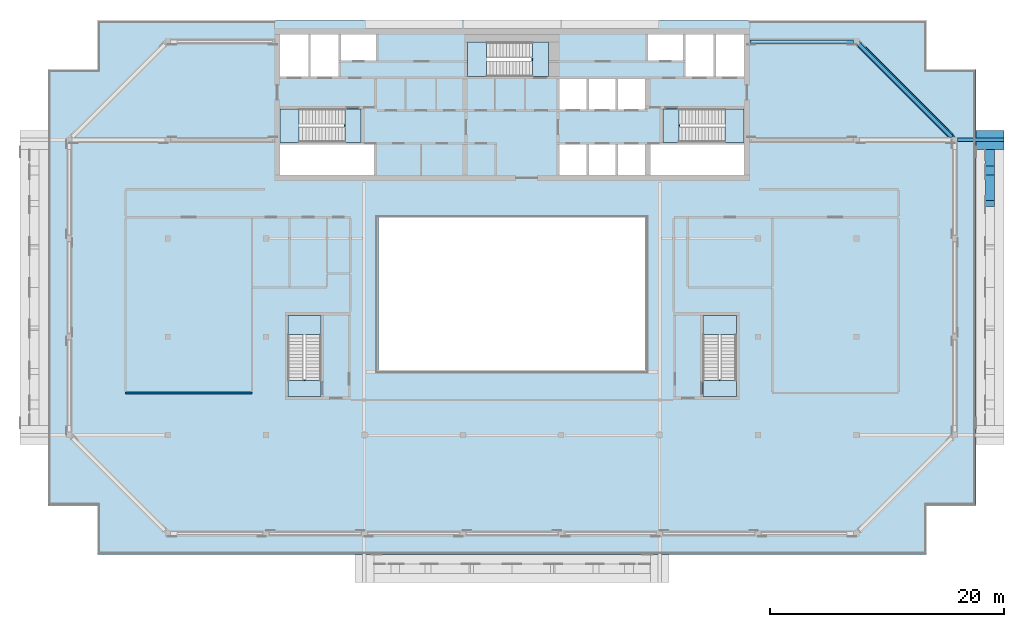
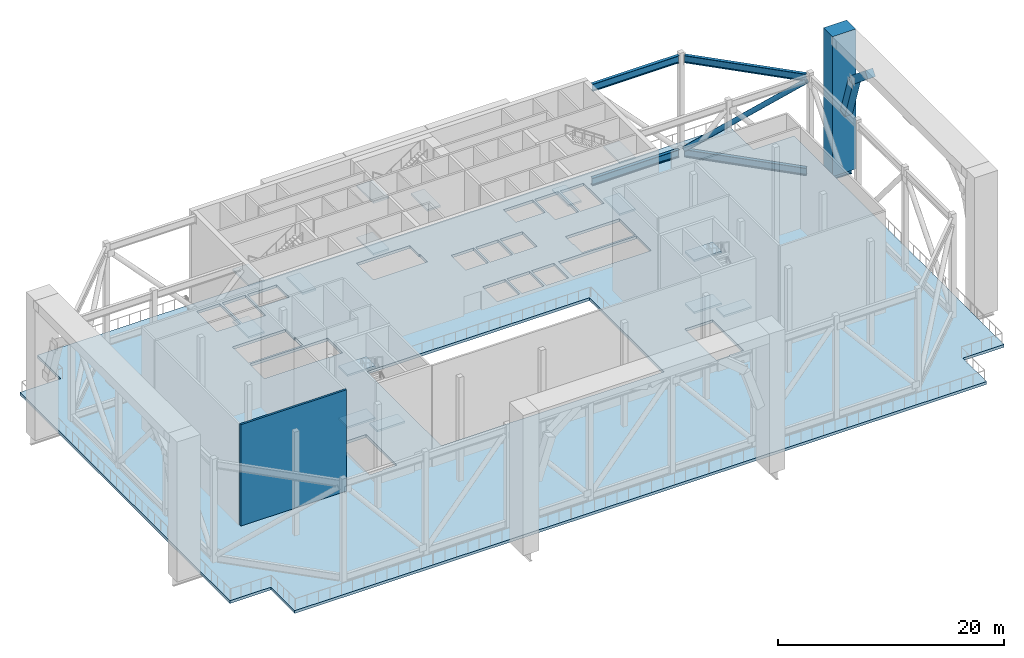
# One storey, part 3 of 20: 16 slabs, 8 members, 1 beam, 1 wall, 5 elements without a shape of their own.
"""IFC4 building model written with IfcOpenShell, lengths in metres."""

from ifc_helpers import new_model, si_unit, direction, frame, frame_2d, origin, origin_2d, place, context, subcontext, project, spatial, polyline, rectangle, hollow_circle, i_section, outline, extrude, material, layer, layer_set, material_profile, profile_set, type_object, element, aggregate, save


model = new_model("IFC4")

# Units and contexts
model_context = context("Model", 3, precision=1e-05, world=origin(), true_north=direction((0.0, 1.0)))
body_context = subcontext(model_context, "Body", "Model", "MODEL_VIEW")
ifc_project = project(units=[si_unit("LENGTHUNIT", "METRE"), si_unit("AREAUNIT", "SQUARE_METRE"), si_unit("VOLUMEUNIT", "CUBIC_METRE"), si_unit("PLANEANGLEUNIT", "RADIAN"), si_unit("MASSUNIT", "GRAM", prefix="KILO")], contexts=[model_context])

# Site, building, storey
site_placement = place(None, origin())
site = spatial("IfcSite", under=ifc_project, at=site_placement, CompositionType="ELEMENT")
building_placement = place(site_placement, origin())
building = spatial("IfcBuilding", under=site, at=building_placement, Name="Saffron Gate Tower", CompositionType="ELEMENT")
storey_placement = place(building_placement, frame((0.0, 0.0, 252.300048828125)))
storey = spatial("IfcBuildingStorey", under=building, at=storey_placement, Name="L62", CompositionType="ELEMENT", Elevation=252.300048828125)

# Members
ifc_material_1 = material(Name="Structural steel S355", Category="steel")
ifc_material_profile_1 = material_profile(ifc_material_1, i_section(OverallWidth=0.300048828125, OverallDepth=0.800048828125, WebThickness=0.017578125, FlangeThickness=0.032958984375, FilletRadius=0.030029296875, at=origin_2d()))
ifc_profile_set_1 = profile_set([ifc_material_profile_1], Name="Structural steel S355")
member_type_1 = type_object("IfcMemberType", Name="BT2 HEB 800", PredefinedType="CHORD", material=ifc_profile_set_1)
for number, where, z_axis, x_axis, name in (
    (1, (117.25, 73.550048828125, 10.570068359375), (0.707095854966, -0.707117707239, 0.0), (0.707117707239, 0.707095854966, 0.0), "BT2 BELT TRUSS TOP CHORD"),
    (2, (117.25, 73.550048828125, 0.39990234375), (0.707095854966, -0.707117707239, 0.0), (0.707117707239, 0.707095854966, 0.0), "BT2 BELT TRUSS BOTTOM CHORD"),
):
    element("IfcMember", number, at=place(storey_placement, frame(where, z_axis=z_axis, x_axis=x_axis)), inside=storey, type_object=member_type_1, Name=name, PredefinedType="CHORD", context=body_context, shape_type="SweptSolid", body=[
        extrude(i_section(OverallWidth=0.300048828125, OverallDepth=0.800048828125, WebThickness=0.017578125, FlangeThickness=0.032958984375, FilletRadius=0.030029296875, at=origin_2d()), origin(), (0.0, 0.0, 1.0), 11.17236328125),
    ])
ifc_material_profile_2 = material_profile(ifc_material_1, hollow_circle(Radius=0.25390625, WallThickness=0.01611328125, at=origin_2d()))
ifc_profile_set_2 = profile_set([ifc_material_profile_2], Name="Structural steel S355")
member_type_2 = type_object("IfcMemberType", Name="BT5 CHS 508x16", PredefinedType="BRACE", material=ifc_profile_set_2)
member_1_placement = place(storey_placement, frame((117.25, 73.550048828125, 0.800048828125), z_axis=(0.54178187723, -0.541798620598, 0.642593691397), x_axis=(0.707117707239, 0.707095854966, 0.0)))
element("IfcMember", 3, at=member_1_placement, inside=storey, type_object=member_type_2, Name="BT5 BELT TRUSS DIAGONAL", PredefinedType="BRACE", context=body_context, shape_type="SweptSolid", body=[
    extrude(hollow_circle(Radius=0.25390625, WallThickness=0.01611328125, at=origin_2d()), origin(), (0.0, 0.0, 1.0), 14.581298828125),
])
ifc_material_profile_3 = material_profile(ifc_material_1, i_section(OverallWidth=0.300048828125, OverallDepth=0.800048828125, WebThickness=0.017578125, FlangeThickness=0.032958984375, FilletRadius=0.030029296875, at=origin_2d()))
ifc_profile_set_3 = profile_set([ifc_material_profile_3], Name="Structural steel S355")
member_type_3 = type_object("IfcMemberType", Name="OT1 HEB 800", PredefinedType="CHORD", material=ifc_profile_set_3)
for number, where, z_axis, x_axis, name in (
    (4, (116.75, 73.800048828125, 10.570068359375), (-1.0, 0.0, 0.0), (0.0, -1.0, 0.0), "OT1 OUTRIGGER TOP CHORD"),
    (5, (116.75, 73.800048828125, 0.39990234375), (-1.0, 0.0, 0.0), (0.0, -1.0, 0.0), "OT1 OUTRIGGER BOTTOM CHORD"),
):
    element("IfcMember", number, at=place(storey_placement, frame(where, z_axis=z_axis, x_axis=x_axis)), inside=storey, type_object=member_type_3, Name=name, PredefinedType="CHORD", context=body_context, shape_type="SweptSolid", body=[
        extrude(i_section(OverallWidth=0.300048828125, OverallDepth=0.800048828125, WebThickness=0.017578125, FlangeThickness=0.032958984375, FilletRadius=0.030029296875, at=origin_2d()), origin(), (0.0, 0.0, 1.0), 8.85009765625),
    ])
ifc_material_2 = material(Name="Concrete C60", Category="concrete")
ifc_material_profile_4 = material_profile(ifc_material_2, rectangle(XDim=0.800048828125, YDim=0.800048828125, at=origin_2d()))
ifc_profile_set_4 = profile_set([ifc_material_profile_4], Name="Concrete C60")
member_type_4 = type_object("IfcMemberType", Name="PA1 RC 800x800", PredefinedType="BRACE", material=ifc_profile_set_4)
member_2_placement = place(storey_placement, frame((128.39990234375, 59.98583984375, 13.241943359375), z_axis=(0.0, 0.771301255722, -0.636470245119), x_axis=(-1.0, 0.0, 0.0)))
element("IfcMember", 6, at=member_2_placement, inside=storey, type_object=member_type_4, Name="PA1 PISHTAQ ARCH", PredefinedType="BRACE", context=body_context, shape_type="SweptSolid", body=[
    extrude(rectangle(XDim=0.800048828125, YDim=0.800048828125, at=origin_2d()), origin(), (0.0, 0.0, 1.0), 3.453125),
])
member_3_placement = place(storey_placement, frame((128.39990234375, 62.774658203125, 10.8603515625), z_axis=(0.0, 0.311817884168, -0.950141887885), x_axis=(-1.0, 0.0, 0.0)))
element("IfcMember", 7, at=member_3_placement, inside=storey, type_object=member_type_4, Name="PA1 PISHTAQ ARCH", PredefinedType="BRACE", context=body_context, shape_type="SweptSolid", body=[
    extrude(rectangle(XDim=0.800048828125, YDim=0.800048828125, at=origin_2d()), origin(), (0.0, 0.0, 1.0), 4.57080078125),
])
ifc_material_profile_5 = material_profile(ifc_material_2, rectangle(XDim=2.39990234375, YDim=1.60009765625, at=origin_2d()))
ifc_profile_set_5 = profile_set([ifc_material_profile_5], Name="Concrete C60")
member_type_5 = type_object("IfcMemberType", Name="PP1 RC 2400x1600", PredefinedType="POST", material=ifc_profile_set_5)
member_4_placement = place(storey_placement, frame((128.39990234375, 65.39990234375, -0.300048828125), z_axis=(0.0, 0.0, 1.0), x_axis=(1.0, 0.0, 0.0)))
element("IfcMember", 8, at=member_4_placement, inside=storey, type_object=member_type_5, Name="PP1 PISHTAQ PIER", PredefinedType="POST", context=body_context, shape_type="SweptSolid", body=[
    extrude(rectangle(XDim=2.39990234375, YDim=1.60009765625, at=origin_2d()), origin(), (0.0, 0.0, 1.0), 15.14990234375),
])

# Beam
ifc_material_profile_6 = material_profile(ifc_material_1, i_section(OverallWidth=0.300048828125, OverallDepth=0.889892578125, WebThickness=0.01611328125, FlangeThickness=0.030029296875, FilletRadius=0.030029296875, at=origin_2d()))
ifc_profile_set_6 = profile_set([ifc_material_profile_6], Name="Structural steel S355")
beam_type = type_object("IfcBeamType", Name="PQ1 HEA 900", PredefinedType="BEAM", material=ifc_profile_set_6)
beam_placement = place(storey_placement, frame((129.60009765625, 65.39990234375, -0.7451171875), z_axis=(-1.0, 0.0, 0.0), x_axis=(0.0, -1.0, 0.0)))
element("IfcBeam", 9, at=beam_placement, inside=storey, type_object=beam_type, Name="PQ1 PISHTAQ PIER BEAM", PredefinedType="BEAM", context=body_context, shape_type="SweptSolid", body=[
    extrude(i_section(OverallWidth=0.300048828125, OverallDepth=0.889892578125, WebThickness=0.01611328125, FlangeThickness=0.030029296875, FilletRadius=0.030029296875, at=origin_2d()), origin(), (0.0, 0.0, 1.0), 3.9501953125),
])

# Slab
ifc_material_3 = material(Name="Concrete C40", Category="concrete")
ifc_layer_1 = layer(ifc_material_3, 0.300048828125)
ifc_layer_set_1 = layer_set([ifc_layer_1], Name="S3 FLOOR SLAB 300 CONCRETE C40")
slab_type_1 = type_object("IfcSlabType", Name="S3 FLOOR SLAB 300 CONCRETE C40", PredefinedType="FLOOR", material=ifc_layer_set_1)
slab_1_placement = place(storey_placement, frame((0.0, 0.0, -0.300048828125)))
element("IfcSlab", 10, at=slab_1_placement, inside=storey, type_object=slab_type_1, Name="S3 FLOOR SLAB", PredefinedType="FLOOR", context=body_context, shape_type="SweptSolid", body=[
    extrude(outline(polyline([(48.0, 34.199951171875), (52.199951171875, 34.199951171875), (52.199951171875, 30.0), (123.0, 30.0), (123.0, 34.199951171875), (127.199951171875, 34.199951171875), (127.199951171875, 71.39990234375), (123.0, 71.39990234375), (123.0, 75.60009765625), (52.199951171875, 75.60009765625), (52.199951171875, 71.39990234375), (48.0, 71.39990234375), (48.0, 34.199951171875)]), holes=[polyline([(67.800048828125, 62.39990234375), (67.800048828125, 65.0), (75.800048828125, 65.0), (75.800048828125, 62.39990234375), (67.800048828125, 62.39990234375)]), polyline([(67.800048828125, 65.199951171875), (67.800048828125, 68.050048828125), (73.25, 68.050048828125), (73.25, 66.550048828125), (73.34912109375, 66.550048828125), (73.34912109375, 65.199951171875), (67.800048828125, 65.199951171875)]), polyline([(67.800048828125, 70.800048828125), (67.800048828125, 74.39990234375), (70.199951171875, 74.39990234375), (70.199951171875, 70.800048828125), (67.800048828125, 70.800048828125)]), polyline([(68.449951171875, 44.85107421875), (68.449951171875, 50.39990234375), (71.300048828125, 50.39990234375), (71.300048828125, 44.949951171875), (69.800048828125, 44.949951171875), (69.800048828125, 44.85107421875), (68.449951171875, 44.85107421875)]), polyline([(70.39990234375, 70.800048828125), (70.39990234375, 74.39990234375), (72.800048828125, 74.39990234375), (72.800048828125, 70.800048828125), (70.39990234375, 70.800048828125)]), polyline([(73.0, 72.199951171875), (73.0, 74.39990234375), (76.0, 74.39990234375), (76.0, 72.199951171875), (73.0, 72.199951171875)]), polyline([(76.199951171875, 45.60009765625), (76.199951171875, 58.800048828125), (99.0, 58.800048828125), (99.0, 45.60009765625), (76.199951171875, 45.60009765625)]), polyline([(83.800048828125, 70.800048828125), (83.800048828125, 73.75), (89.25, 73.75), (89.25, 72.14990234375), (89.34912109375, 72.14990234375), (89.34912109375, 70.800048828125), (83.800048828125, 70.800048828125)]), polyline([(91.64990234375, 62.39990234375), (91.64990234375, 65.0), (93.949951171875, 65.0), (93.949951171875, 62.39990234375), (91.64990234375, 62.39990234375)]), polyline([(91.64990234375, 68.0), (91.64990234375, 70.60009765625), (93.949951171875, 70.60009765625), (93.949951171875, 68.0), (91.64990234375, 68.0)]), polyline([(94.14990234375, 62.39990234375), (94.14990234375, 65.0), (96.449951171875, 65.0), (96.449951171875, 62.39990234375), (94.14990234375, 62.39990234375)]), polyline([(94.14990234375, 68.0), (94.14990234375, 70.60009765625), (96.449951171875, 70.60009765625), (96.449951171875, 68.0), (94.14990234375, 68.0)]), polyline([(96.64990234375, 62.39990234375), (96.64990234375, 65.0), (98.949951171875, 65.0), (98.949951171875, 62.39990234375), (96.64990234375, 62.39990234375)]), polyline([(96.64990234375, 68.0), (96.64990234375, 70.60009765625), (98.949951171875, 70.60009765625), (98.949951171875, 68.0), (96.64990234375, 68.0)]), polyline([(99.199951171875, 72.199951171875), (99.199951171875, 74.39990234375), (102.199951171875, 74.39990234375), (102.199951171875, 72.199951171875), (99.199951171875, 72.199951171875)]), polyline([(99.39990234375, 62.39990234375), (99.39990234375, 65.0), (107.39990234375, 65.0), (107.39990234375, 62.39990234375), (99.39990234375, 62.39990234375)]), polyline([(101.85107421875, 66.699951171875), (101.85107421875, 68.050048828125), (107.39990234375, 68.050048828125), (107.39990234375, 65.199951171875), (101.949951171875, 65.199951171875), (101.949951171875, 66.699951171875), (101.85107421875, 66.699951171875)]), polyline([(102.39990234375, 70.800048828125), (102.39990234375, 74.39990234375), (104.800048828125, 74.39990234375), (104.800048828125, 70.800048828125), (102.39990234375, 70.800048828125)]), polyline([(103.89990234375, 44.85107421875), (103.89990234375, 50.39990234375), (106.75, 50.39990234375), (106.75, 44.949951171875), (105.25, 44.949951171875), (105.25, 44.85107421875), (103.89990234375, 44.85107421875)]), polyline([(105.0, 70.800048828125), (105.0, 74.39990234375), (107.39990234375, 74.39990234375), (107.39990234375, 70.800048828125), (105.0, 70.800048828125)])]), origin(), (0.0, 0.0, 1.0), 0.300048828125),
])

# Stair, slabs
stair_type = type_object("IfcStairType", Name="ST8 Stair 1350 wide, 60 risers of 188", PredefinedType="HALF_TURN_STAIR", material=ifc_material_3)
stair_1_placement = place(storey_placement, origin())
stair_1 = element("IfcStair", 11, at=stair_1_placement, inside=storey, type_object=stair_type, Name="L62 Exit stair A", PredefinedType="HALF_TURN_STAIR")
ifc_layer_2 = layer(ifc_material_3, 0.199951171875)
ifc_layer_set_2 = layer_set([ifc_layer_2], Name="SL1 Stair landing 200")
slab_type_2 = type_object("IfcSlabType", Name="SL1 Stair landing 200", PredefinedType="LANDING", material=ifc_layer_set_2)
slab_2_placement = place(storey_placement, frame((0.0, 0.0, 2.612548828125)))
slab_2 = element("IfcSlab", 12, at=slab_2_placement, type_object=slab_type_2, Name="ST-A landing 1", PredefinedType="LANDING", context=body_context, shape_type="SweptSolid", body=[
    extrude(outline(polyline([(69.429931640625, 68.050048828125), (67.800048828125, 68.050048828125), (67.800048828125, 65.199951171875), (69.429931640625, 65.199951171875), (69.429931640625, 68.050048828125)])), origin(), (0.0, 0.0, 1.0), 0.199951171875),
])
slab_3_placement = place(storey_placement, frame((0.0, 0.0, 5.425048828125)))
slab_3 = element("IfcSlab", 13, at=slab_3_placement, type_object=slab_type_2, Name="ST-A landing 2", PredefinedType="LANDING", context=body_context, shape_type="SweptSolid", body=[
    extrude(outline(polyline([(74.699951171875, 68.050048828125), (73.35009765625, 68.050048828125), (73.35009765625, 65.199951171875), (74.699951171875, 65.199951171875), (74.699951171875, 68.050048828125)])), origin(), (0.0, 0.0, 1.0), 0.199951171875),
])
slab_4_placement = place(storey_placement, frame((0.0, 0.0, 8.237548828125)))
slab_4 = element("IfcSlab", 14, at=slab_4_placement, type_object=slab_type_2, Name="ST-A landing 3", PredefinedType="LANDING", context=body_context, shape_type="SweptSolid", body=[
    extrude(outline(polyline([(69.429931640625, 68.050048828125), (67.800048828125, 68.050048828125), (67.800048828125, 65.199951171875), (69.429931640625, 65.199951171875), (69.429931640625, 68.050048828125)])), origin(), (0.0, 0.0, 1.0), 0.199951171875),
])
aggregate(stair_1, [slab_2, slab_3, slab_4])

stair_2_placement = place(storey_placement, origin())
stair_2 = element("IfcStair", 15, at=stair_2_placement, inside=storey, type_object=stair_type, Name="L62 Exit stair B", PredefinedType="HALF_TURN_STAIR")
slab_5_placement = place(storey_placement, frame((0.0, 0.0, 2.612548828125)))
slab_5 = element("IfcSlab", 16, at=slab_5_placement, type_object=slab_type_2, Name="ST-B landing 1", PredefinedType="LANDING", context=body_context, shape_type="SweptSolid", body=[
    extrude(outline(polyline([(105.77001953125, 65.199951171875), (107.39990234375, 65.199951171875), (107.39990234375, 68.050048828125), (105.77001953125, 68.050048828125), (105.77001953125, 65.199951171875)])), origin(), (0.0, 0.0, 1.0), 0.199951171875),
])
slab_6_placement = place(storey_placement, frame((0.0, 0.0, 5.425048828125)))
slab_6 = element("IfcSlab", 17, at=slab_6_placement, type_object=slab_type_2, Name="ST-B landing 2", PredefinedType="LANDING", context=body_context, shape_type="SweptSolid", body=[
    extrude(outline(polyline([(100.5, 65.199951171875), (101.85009765625, 65.199951171875), (101.85009765625, 68.050048828125), (100.5, 68.050048828125), (100.5, 65.199951171875)])), origin(), (0.0, 0.0, 1.0), 0.199951171875),
])
slab_7_placement = place(storey_placement, frame((0.0, 0.0, 8.237548828125)))
slab_7 = element("IfcSlab", 18, at=slab_7_placement, type_object=slab_type_2, Name="ST-B landing 3", PredefinedType="LANDING", context=body_context, shape_type="SweptSolid", body=[
    extrude(outline(polyline([(105.77001953125, 65.199951171875), (107.39990234375, 65.199951171875), (107.39990234375, 68.050048828125), (105.77001953125, 68.050048828125), (105.77001953125, 65.199951171875)])), origin(), (0.0, 0.0, 1.0), 0.199951171875),
])
aggregate(stair_2, [slab_5, slab_6, slab_7])

stair_3_placement = place(storey_placement, origin())
stair_3 = element("IfcStair", 19, at=stair_3_placement, inside=storey, type_object=stair_type, Name="L62 Exit stair C", PredefinedType="HALF_TURN_STAIR")
slab_8_placement = place(storey_placement, frame((0.0, 0.0, 2.612548828125)))
slab_8 = element("IfcSlab", 20, at=slab_8_placement, type_object=slab_type_2, Name="ST-C landing 1", PredefinedType="LANDING", context=body_context, shape_type="SweptSolid", body=[
    extrude(outline(polyline([(85.429931640625, 73.75), (83.800048828125, 73.75), (83.800048828125, 70.800048828125), (85.429931640625, 70.800048828125), (85.429931640625, 73.75)])), origin(), (0.0, 0.0, 1.0), 0.199951171875),
])
slab_9_placement = place(storey_placement, frame((0.0, 0.0, 5.425048828125)))
slab_9 = element("IfcSlab", 21, at=slab_9_placement, type_object=slab_type_2, Name="ST-C landing 2", PredefinedType="LANDING", context=body_context, shape_type="SweptSolid", body=[
    extrude(outline(polyline([(90.699951171875, 73.75), (89.35009765625, 73.75), (89.35009765625, 70.800048828125), (90.699951171875, 70.800048828125), (90.699951171875, 73.75)])), origin(), (0.0, 0.0, 1.0), 0.199951171875),
])
slab_10_placement = place(storey_placement, frame((0.0, 0.0, 8.237548828125)))
slab_10 = element("IfcSlab", 22, at=slab_10_placement, type_object=slab_type_2, Name="ST-C landing 3", PredefinedType="LANDING", context=body_context, shape_type="SweptSolid", body=[
    extrude(outline(polyline([(85.429931640625, 73.75), (83.800048828125, 73.75), (83.800048828125, 70.800048828125), (85.429931640625, 70.800048828125), (85.429931640625, 73.75)])), origin(), (0.0, 0.0, 1.0), 0.199951171875),
])
aggregate(stair_3, [slab_8, slab_9, slab_10])

stair_4_placement = place(storey_placement, origin())
stair_4 = element("IfcStair", 23, at=stair_4_placement, inside=storey, type_object=stair_type, Name="L62 Exit stair D", PredefinedType="HALF_TURN_STAIR")
slab_11_placement = place(storey_placement, frame((0.0, 0.0, 2.612548828125)))
slab_11 = element("IfcSlab", 24, at=slab_11_placement, type_object=slab_type_2, Name="ST-D landing 1", PredefinedType="LANDING", context=body_context, shape_type="SweptSolid", body=[
    extrude(outline(polyline([(71.300048828125, 48.77001953125), (71.300048828125, 50.39990234375), (68.449951171875, 50.39990234375), (68.449951171875, 48.77001953125), (71.300048828125, 48.77001953125)])), origin(), (0.0, 0.0, 1.0), 0.199951171875),
])
slab_12_placement = place(storey_placement, frame((0.0, 0.0, 5.425048828125)))
slab_12 = element("IfcSlab", 25, at=slab_12_placement, type_object=slab_type_2, Name="ST-D landing 2", PredefinedType="LANDING", context=body_context, shape_type="SweptSolid", body=[
    extrude(outline(polyline([(71.300048828125, 43.5), (71.300048828125, 44.85009765625), (68.449951171875, 44.85009765625), (68.449951171875, 43.5), (71.300048828125, 43.5)])), origin(), (0.0, 0.0, 1.0), 0.199951171875),
])
slab_13_placement = place(storey_placement, frame((0.0, 0.0, 8.237548828125)))
slab_13 = element("IfcSlab", 26, at=slab_13_placement, type_object=slab_type_2, Name="ST-D landing 3", PredefinedType="LANDING", context=body_context, shape_type="SweptSolid", body=[
    extrude(outline(polyline([(71.300048828125, 48.77001953125), (71.300048828125, 50.39990234375), (68.449951171875, 50.39990234375), (68.449951171875, 48.77001953125), (71.300048828125, 48.77001953125)])), origin(), (0.0, 0.0, 1.0), 0.199951171875),
])
aggregate(stair_4, [slab_11, slab_12, slab_13])

stair_5_placement = place(storey_placement, origin())
stair_5 = element("IfcStair", 27, at=stair_5_placement, inside=storey, type_object=stair_type, Name="L62 Exit stair E", PredefinedType="HALF_TURN_STAIR")
slab_14_placement = place(storey_placement, frame((0.0, 0.0, 2.612548828125)))
slab_14 = element("IfcSlab", 28, at=slab_14_placement, type_object=slab_type_2, Name="ST-E landing 1", PredefinedType="LANDING", context=body_context, shape_type="SweptSolid", body=[
    extrude(outline(polyline([(106.75, 48.77001953125), (106.75, 50.39990234375), (103.89990234375, 50.39990234375), (103.89990234375, 48.77001953125), (106.75, 48.77001953125)])), origin(), (0.0, 0.0, 1.0), 0.199951171875),
])
slab_15_placement = place(storey_placement, frame((0.0, 0.0, 5.425048828125)))
slab_15 = element("IfcSlab", 29, at=slab_15_placement, type_object=slab_type_2, Name="ST-E landing 2", PredefinedType="LANDING", context=body_context, shape_type="SweptSolid", body=[
    extrude(outline(polyline([(106.75, 43.5), (106.75, 44.85009765625), (103.89990234375, 44.85009765625), (103.89990234375, 43.5), (106.75, 43.5)])), origin(), (0.0, 0.0, 1.0), 0.199951171875),
])
slab_16_placement = place(storey_placement, frame((0.0, 0.0, 8.237548828125)))
slab_16 = element("IfcSlab", 30, at=slab_16_placement, type_object=slab_type_2, Name="ST-E landing 3", PredefinedType="LANDING", context=body_context, shape_type="SweptSolid", body=[
    extrude(outline(polyline([(106.75, 48.77001953125), (106.75, 50.39990234375), (103.89990234375, 50.39990234375), (103.89990234375, 48.77001953125), (106.75, 48.77001953125)])), origin(), (0.0, 0.0, 1.0), 0.199951171875),
])
aggregate(stair_5, [slab_14, slab_15, slab_16])

# Wall
ifc_material_4 = material(Name="Clay brick masonry, rendered", Category="masonry")
ifc_layer_3 = layer(ifc_material_4, 0.199951171875)
ifc_layer_set_3 = layer_set([ifc_layer_3], Name="PW5 Room wall 200")
wall_type = type_object("IfcWallType", Name="PW5 Room wall 200", PredefinedType="PARTITIONING", material=ifc_layer_set_3)
wall_placement = place(storey_placement, frame((54.60009765625, 43.800048828125, 0.0), z_axis=(0.0, 0.0, 1.0), x_axis=(1.0, 0.0, 0.0)))
element("IfcWall", 31, at=wall_placement, inside=storey, type_object=wall_type, Name="Wall X3-2", PredefinedType="PARTITIONING", context=body_context, shape_type="SweptSolid", body=[
    extrude(rectangle(XDim=10.7998046875, YDim=0.199951171875, at=frame_2d((5.39990234375, 0.0))), origin(), (0.0, 0.0, 1.0), 10.969970703125),
])

save(model, "model.ifc")
